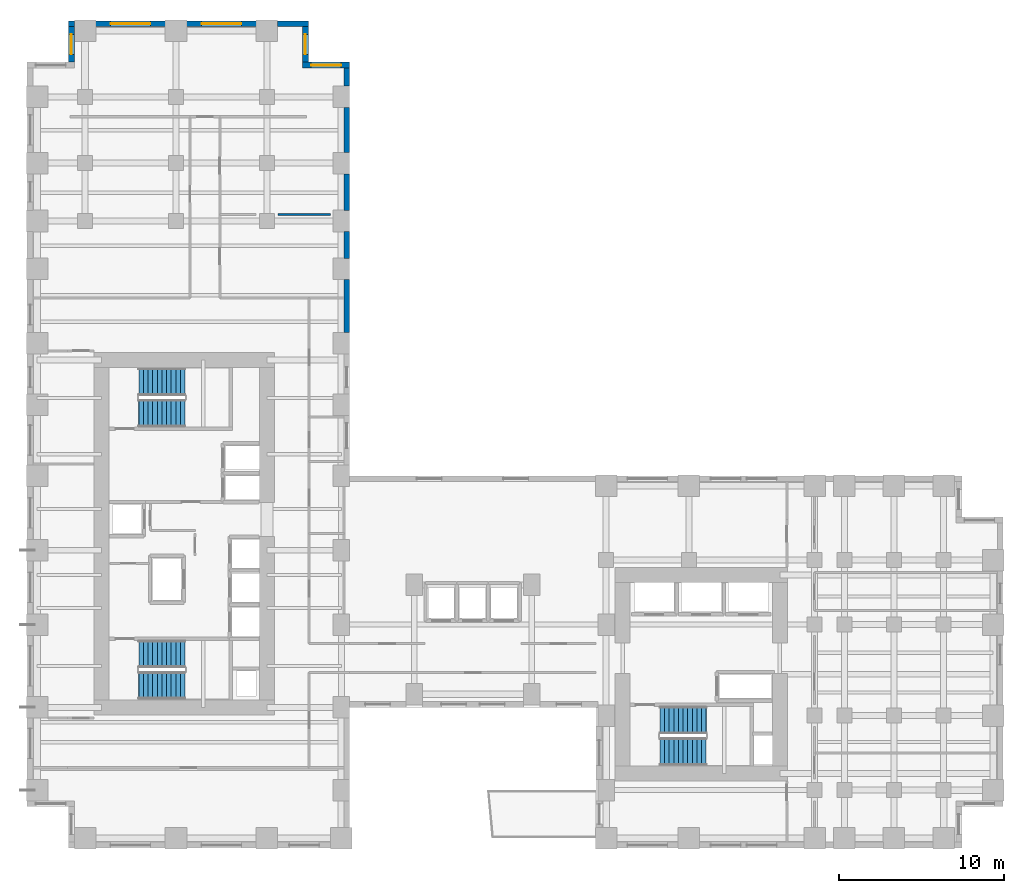
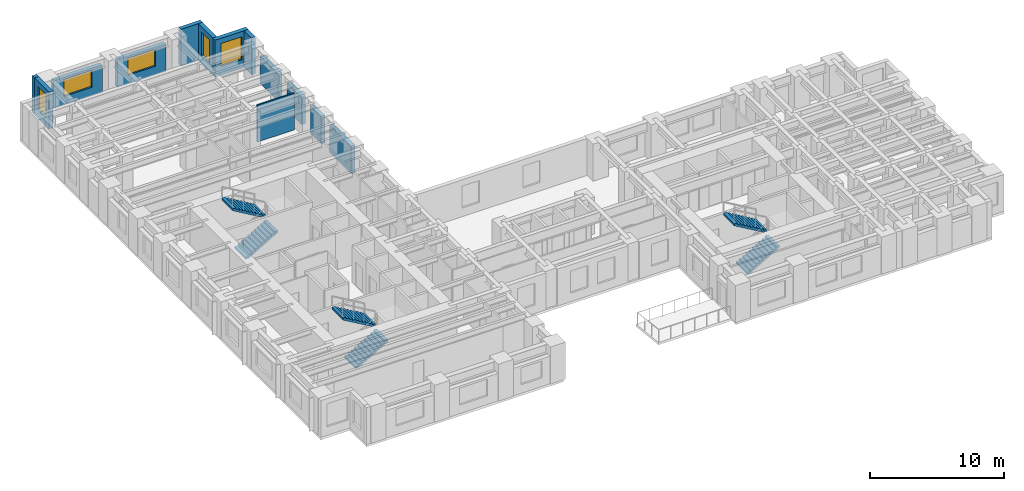
# One storey, part 9 of 12: 13 walls, 6 stair flights, 5 windows, 5 openings, 3 elements without a shape of their own.
"""IFC4 building model written with IfcOpenShell, lengths in metres."""

from ifc_helpers import new_model, si_unit, direction, frame, frame_2d, origin, place, context, subcontext, project, spatial, polyline, rectangle, outline, extrude, source, transform, mapped, material, layer, layer_set, type_object, element, fill, aggregate, save


model = new_model("IFC4")

# Units and contexts
model_context = context("Model", 3, precision=1e-05, world=origin(), true_north=direction((0.0, 1.0)))
body_context = subcontext(model_context, "Body", "Model", "MODEL_VIEW")
ifc_project = project(units=[si_unit("LENGTHUNIT", "METRE"), si_unit("AREAUNIT", "SQUARE_METRE"), si_unit("VOLUMEUNIT", "CUBIC_METRE"), si_unit("PLANEANGLEUNIT", "RADIAN"), si_unit("MASSUNIT", "GRAM", prefix="KILO")], contexts=[model_context])

# Site, building, storey
site_placement = place(None, origin())
site = spatial("IfcSite", under=ifc_project, at=site_placement, CompositionType="ELEMENT")
building_placement = place(site_placement, origin())
building = spatial("IfcBuilding", under=site, at=building_placement, Name="Kharzan Plaza Tower", CompositionType="ELEMENT")
storey_placement = place(building_placement, frame((0.0, 0.0, 33.300048828125)))
storey = spatial("IfcBuildingStorey", under=building, at=storey_placement, Name="L08", CompositionType="ELEMENT", Elevation=33.300048828125)

# Wall, opening, window
ifc_material_1 = material(Name="Concrete C40/50", Category="concrete")
ifc_layer_1 = layer(ifc_material_1, 0.35009765625)
ifc_layer_set_1 = layer_set([ifc_layer_1], Name="Concrete C40/50")
wall_type_1 = type_object("IfcWallType", Name="WL-EXT-MAS-Z1", PredefinedType="SOLIDWALL", material=ifc_layer_set_1)
wall_1_placement = place(storey_placement, frame((19.5, 47.324951171875, 0.0), z_axis=(0.0, 0.0, 1.0), x_axis=(-1.0, 0.0, 0.0)))
wall_1 = element("IfcWall", 1, at=wall_1_placement, inside=storey, type_object=wall_type_1, Name="L08 Masonry-Frame Exterior Wall 01", PredefinedType="SOLIDWALL", context=body_context, shape_type="SweptSolid", body=[
    extrude(rectangle(XDim=2.85009765625, YDim=0.35009765625, at=frame_2d((1.425048828125, 0.0))), origin(), (0.0, 0.0, 1.0), 3.364990234375),
])
opening_1_placement = place(wall_1_placement, frame((0.52490234375, 0.0, 0.780029296875)))
opening_1 = element("IfcOpeningElement", 2, at=opening_1_placement, cuts=wall_1, Name="Opening W1", PredefinedType="OPENING", context=body_context, shape_type="SweptSolid", body=[
    extrude(rectangle(XDim=1.800048828125, YDim=2.10009765625, at=frame_2d((0.89990234375, 1.050048828125))), frame((0.0, 0.18505859375, 0.0), z_axis=(0.0, -1.0, 0.0), x_axis=(1.0, 0.0, 0.0)), (0.0, 0.0, 1.0), 0.3701171875),
])
ifc_material_2 = material(Name="Low-E Double Glazing", Category="glass")
window_type_1 = type_object("IfcWindowType", Name="WN-REC-1800x2100", PartitioningType="SINGLE_PANEL", PredefinedType="WINDOW", material=ifc_material_2)
shared_shape_1 = source(origin(), body_context, "Body", "SweptSolid", [
    extrude(rectangle(XDim=1.800048828125, YDim=2.10009765625, at=frame_2d((0.89990234375, 1.050048828125))), frame((0.0, 0.030029296875, 0.0), z_axis=(0.0, -1.0, 0.0), x_axis=(1.0, 0.0, 0.0)), (0.0, 0.0, 1.0), 0.06005859375),
])
window_1_placement = place(opening_1_placement, origin())
window_1 = element("IfcWindow", 3, at=window_1_placement, inside=storey, type_object=window_type_1, Name="L08 Recessed Solar-Control Window 01-1", OverallHeight=2.10009765625, OverallWidth=1.800048828125, PartitioningType="SINGLE_PANEL", PredefinedType="WINDOW", context=body_context, shape_type="MappedRepresentation", body=[
    mapped(shared_shape_1, transform((0.0, 0.0, 0.0), x_axis=(1.0, 0.0, 0.0), y_axis=(0.0, 1.0, 0.0), z_axis=(0.0, 0.0, 1.0))),
])
fill(opening_1, window_1)

wall_2_placement = place(storey_placement, frame((16.824951171875, 47.498046875, 0.0), z_axis=(0.0, 0.0, 1.0), x_axis=(0.0, 1.0, 0.0)))
wall_2 = element("IfcWall", 4, at=wall_2_placement, inside=storey, type_object=wall_type_1, Name="L08 Masonry-Frame Exterior Wall 02", PredefinedType="SOLIDWALL", context=body_context, shape_type="SweptSolid", body=[
    extrude(rectangle(XDim=2.154052734375, YDim=0.35009765625, at=frame_2d((1.0771484375, 0.0))), origin(), (0.0, 0.0, 1.0), 3.364990234375),
])
opening_2_placement = place(wall_2_placement, frame((0.47705078125, 0.0, 0.780029296875)))
opening_2 = element("IfcOpeningElement", 5, at=opening_2_placement, cuts=wall_2, Name="Opening W3", PredefinedType="OPENING", context=body_context, shape_type="SweptSolid", body=[
    extrude(rectangle(XDim=1.199951171875, YDim=2.10009765625, at=frame_2d((0.60009765625, 1.050048828125))), frame((0.0, 0.18505859375, 0.0), z_axis=(0.0, -1.0, 0.0), x_axis=(1.0, 0.0, 0.0)), (0.0, 0.0, 1.0), 0.3701171875),
])
window_type_2 = type_object("IfcWindowType", Name="WN-REC-1200x2100", PartitioningType="SINGLE_PANEL", PredefinedType="WINDOW", material=ifc_material_2)
shared_shape_2 = source(origin(), body_context, "Body", "SweptSolid", [
    extrude(rectangle(XDim=1.199951171875, YDim=2.10009765625, at=frame_2d((0.60009765625, 1.050048828125))), frame((0.0, 0.030029296875, 0.0), z_axis=(0.0, -1.0, 0.0), x_axis=(1.0, 0.0, 0.0)), (0.0, 0.0, 1.0), 0.06005859375),
])
window_2_placement = place(opening_2_placement, origin())
window_2 = element("IfcWindow", 6, at=window_2_placement, inside=storey, type_object=window_type_2, Name="L08 Recessed Solar-Control Window 02-1", OverallHeight=2.10009765625, OverallWidth=1.199951171875, PartitioningType="SINGLE_PANEL", PredefinedType="WINDOW", context=body_context, shape_type="MappedRepresentation", body=[
    mapped(shared_shape_2, transform((0.0, 0.0, 0.0), x_axis=(1.0, 0.0, 0.0), y_axis=(0.0, 1.0, 0.0), z_axis=(0.0, 0.0, 1.0))),
])
fill(opening_2, window_2)

wall_3_placement = place(storey_placement, frame((13.85205078125, 49.824951171875, 0.0), z_axis=(0.0, 0.0, 1.0), x_axis=(-1.0, 0.0, 0.0)))
wall_3 = element("IfcWall", 7, at=wall_3_placement, inside=storey, type_object=wall_type_1, Name="L08 Masonry-Frame Exterior Wall 04", PredefinedType="SOLIDWALL", context=body_context, shape_type="SweptSolid", body=[
    extrude(rectangle(XDim=4.2041015625, YDim=0.35009765625, at=frame_2d((2.10205078125, 0.0))), origin(), (0.0, 0.0, 1.0), 2.510009765625),
])
opening_3_placement = place(wall_3_placement, frame((0.902099609375, 0.0, 0.780029296875)))
opening_3 = element("IfcOpeningElement", 8, at=opening_3_placement, cuts=wall_3, Name="Opening W2", PredefinedType="OPENING", context=body_context, shape_type="SweptSolid", body=[
    extrude(rectangle(XDim=2.39990234375, YDim=1.550048828125, at=frame_2d((1.199951171875, 0.77490234375))), frame((0.0, 0.18505859375, 0.0), z_axis=(0.0, -1.0, 0.0), x_axis=(1.0, 0.0, 0.0)), (0.0, 0.0, 1.0), 0.3701171875),
])
window_type_3 = type_object("IfcWindowType", Name="WN-REC-2400x2100", PartitioningType="SINGLE_PANEL", PredefinedType="WINDOW", material=ifc_material_2)
shared_shape_3 = source(origin(), body_context, "Body", "SweptSolid", [
    extrude(rectangle(XDim=2.39990234375, YDim=1.550048828125, at=frame_2d((1.199951171875, 0.77490234375))), frame((0.0, 0.030029296875, 0.0), z_axis=(0.0, -1.0, 0.0), x_axis=(1.0, 0.0, 0.0)), (0.0, 0.0, 1.0), 0.06005859375),
])
window_3_placement = place(opening_3_placement, origin())
window_3 = element("IfcWindow", 9, at=window_3_placement, inside=storey, type_object=window_type_3, Name="L08 Wide Recessed Solar-Control Window 04-1", OverallHeight=1.550048828125, OverallWidth=2.39990234375, PartitioningType="SINGLE_PANEL", PredefinedType="WINDOW", context=body_context, shape_type="MappedRepresentation", body=[
    mapped(shared_shape_3, transform((0.0, 0.0, 0.0), x_axis=(1.0, 0.0, 0.0), y_axis=(0.0, 1.0, 0.0), z_axis=(0.0, 0.0, 1.0))),
])
fill(opening_3, window_3)

wall_4_placement = place(storey_placement, frame((8.35205078125, 49.824951171875, 0.0), z_axis=(0.0, 0.0, 1.0), x_axis=(-1.0, 0.0, 0.0)))
wall_4 = element("IfcWall", 10, at=wall_4_placement, inside=storey, type_object=wall_type_1, Name="L08 Masonry-Frame Exterior Wall 05", PredefinedType="SOLIDWALL", context=body_context, shape_type="SweptSolid", body=[
    extrude(rectangle(XDim=4.2041015625, YDim=0.35009765625, at=frame_2d((2.10205078125, 0.0))), origin(), (0.0, 0.0, 1.0), 2.510009765625),
])
opening_4_placement = place(wall_4_placement, frame((0.902099609375, 0.0, 0.780029296875)))
opening_4 = element("IfcOpeningElement", 11, at=opening_4_placement, cuts=wall_4, Name="Opening W2", PredefinedType="OPENING", context=body_context, shape_type="SweptSolid", body=[
    extrude(rectangle(XDim=2.39990234375, YDim=1.550048828125, at=frame_2d((1.199951171875, 0.77490234375))), frame((0.0, 0.18505859375, 0.0), z_axis=(0.0, -1.0, 0.0), x_axis=(1.0, 0.0, 0.0)), (0.0, 0.0, 1.0), 0.3701171875),
])
window_4_placement = place(opening_4_placement, origin())
window_4 = element("IfcWindow", 12, at=window_4_placement, inside=storey, type_object=window_type_3, Name="L08 Wide Recessed Solar-Control Window 05-1", OverallHeight=1.550048828125, OverallWidth=2.39990234375, PartitioningType="SINGLE_PANEL", PredefinedType="WINDOW", context=body_context, shape_type="MappedRepresentation", body=[
    mapped(shared_shape_3, transform((0.0, 0.0, 0.0), x_axis=(1.0, 0.0, 0.0), y_axis=(0.0, 1.0, 0.0), z_axis=(0.0, 0.0, 1.0))),
])
fill(opening_4, window_4)

wall_5_placement = place(storey_placement, frame((2.675048828125, 49.652099609375, 0.0), z_axis=(0.0, 0.0, 1.0), x_axis=(0.0, -1.0, 0.0)))
wall_5 = element("IfcWall", 13, at=wall_5_placement, inside=storey, type_object=wall_type_1, Name="L08 Masonry-Frame Exterior Wall 07", PredefinedType="SOLIDWALL", context=body_context, shape_type="SweptSolid", body=[
    extrude(rectangle(XDim=2.154052734375, YDim=0.35009765625, at=frame_2d((1.0771484375, 0.0))), origin(), (0.0, 0.0, 1.0), 3.364990234375),
])
opening_5_placement = place(wall_5_placement, frame((0.47705078125, 0.0, 0.780029296875)))
opening_5 = element("IfcOpeningElement", 14, at=opening_5_placement, cuts=wall_5, Name="Opening W3", PredefinedType="OPENING", context=body_context, shape_type="SweptSolid", body=[
    extrude(rectangle(XDim=1.199951171875, YDim=2.10009765625, at=frame_2d((0.60009765625, 1.050048828125))), frame((0.0, 0.18505859375, 0.0), z_axis=(0.0, -1.0, 0.0), x_axis=(1.0, 0.0, 0.0)), (0.0, 0.0, 1.0), 0.3701171875),
])
window_5_placement = place(opening_5_placement, origin())
window_5 = element("IfcWindow", 15, at=window_5_placement, inside=storey, type_object=window_type_2, Name="L08 Recessed Solar-Control Window 07-1", OverallHeight=2.10009765625, OverallWidth=1.199951171875, PartitioningType="SINGLE_PANEL", PredefinedType="WINDOW", context=body_context, shape_type="MappedRepresentation", body=[
    mapped(shared_shape_2, transform((0.0, 0.0, 0.0), x_axis=(1.0, 0.0, 0.0), y_axis=(0.0, 1.0, 0.0), z_axis=(0.0, 0.0, 1.0))),
])
fill(opening_5, window_5)

# Walls
shared_shape_4 = source(origin(), body_context, "Body", "SweptSolid", [
    extrude(rectangle(XDim=1.85205078125, YDim=0.35009765625, at=frame_2d((0.926025390625, 0.0))), origin(), (0.0, 0.0, 1.0), 3.364990234375),
])
wall_6_placement = place(storey_placement, frame((17.0, 49.824951171875, 0.0), z_axis=(0.0, 0.0, 1.0), x_axis=(-1.0, 0.0, 0.0)))
element("IfcWall", 16, at=wall_6_placement, inside=storey, type_object=wall_type_1, Name="L08 Masonry-Frame Exterior Wall 03", PredefinedType="SOLIDWALL", context=body_context, shape_type="MappedRepresentation", body=[
    mapped(shared_shape_4, transform((0.0, 0.0, 0.0), x_axis=(1.0, 0.0, 0.0), y_axis=(0.0, 1.0, 0.0), z_axis=(0.0, 0.0, 1.0))),
])
shared_shape_5 = source(origin(), body_context, "Body", "SweptSolid", [
    extrude(rectangle(XDim=0.35205078125, YDim=0.35009765625, at=frame_2d((0.176025390625, 0.0))), origin(), (0.0, 0.0, 1.0), 3.364990234375),
])
wall_7_placement = place(storey_placement, frame((2.85205078125, 49.824951171875, 0.0), z_axis=(0.0, 0.0, 1.0), x_axis=(-1.0, 0.0, 0.0)))
element("IfcWall", 17, at=wall_7_placement, inside=storey, type_object=wall_type_1, Name="L08 Masonry-Frame Exterior Wall 06", PredefinedType="SOLIDWALL", context=body_context, shape_type="MappedRepresentation", body=[
    mapped(shared_shape_5, transform((0.0, 0.0, 0.0), x_axis=(1.0, 0.0, 0.0), y_axis=(0.0, 1.0, 0.0), z_axis=(0.0, 0.0, 1.0))),
])
shared_shape_6 = source(origin(), body_context, "Body", "SweptSolid", [
    extrude(rectangle(XDim=1.10400390625, YDim=0.35009765625, at=frame_2d((0.552001953125, 0.0))), origin(), (0.0, 0.0, 1.0), 3.364990234375),
])
wall_8_placement = place(storey_placement, frame((19.324951171875, 46.048095703125, 0.0), z_axis=(0.0, 0.0, 1.0), x_axis=(0.0, 1.0, 0.0)))
element("IfcWall", 18, at=wall_8_placement, inside=storey, type_object=wall_type_1, Name="L08 Masonry-Frame Exterior Wall 60", PredefinedType="SOLIDWALL", context=body_context, shape_type="MappedRepresentation", body=[
    mapped(shared_shape_6, transform((0.0, 0.0, 0.0), x_axis=(1.0, 0.0, 0.0), y_axis=(0.0, 1.0, 0.0), z_axis=(0.0, 0.0, 1.0))),
])
shared_shape_7 = source(origin(), body_context, "Body", "SweptSolid", [
    extrude(rectangle(XDim=1.60400390625, YDim=0.35009765625, at=frame_2d((0.802001953125, 0.0))), origin(), (0.0, 0.0, 1.0), 2.510009765625),
])
wall_9_placement = place(storey_placement, frame((19.324951171875, 35.64794921875, 0.0), z_axis=(0.0, 0.0, 1.0), x_axis=(0.0, 1.0, 0.0)))
element("IfcWall", 19, at=wall_9_placement, inside=storey, type_object=wall_type_1, Name="L08 Masonry-Frame Exterior Wall 57", PredefinedType="SOLIDWALL", context=body_context, shape_type="MappedRepresentation", body=[
    mapped(shared_shape_7, transform((0.0, 0.0, 0.0), x_axis=(1.0, 0.0, 0.0), y_axis=(0.0, 1.0, 0.0), z_axis=(0.0, 0.0, 1.0))),
])
shared_shape_8 = source(origin(), body_context, "Body", "SweptSolid", [
    extrude(rectangle(XDim=3.2041015625, YDim=0.35009765625, at=frame_2d((1.60205078125, 0.0))), origin(), (0.0, 0.0, 1.0), 2.510009765625),
])
wall_10_placement = place(storey_placement, frame((19.324951171875, 31.14794921875, 0.0), z_axis=(0.0, 0.0, 1.0), x_axis=(0.0, 1.0, 0.0)))
element("IfcWall", 20, at=wall_10_placement, inside=storey, type_object=wall_type_1, Name="L08 Masonry-Frame Exterior Wall 56", PredefinedType="SOLIDWALL", context=body_context, shape_type="MappedRepresentation", body=[
    mapped(shared_shape_8, transform((0.0, 0.0, 0.0), x_axis=(1.0, 0.0, 0.0), y_axis=(0.0, 1.0, 0.0), z_axis=(0.0, 0.0, 1.0))),
])
shared_shape_9 = source(origin(), body_context, "Body", "SweptSolid", [
    extrude(rectangle(XDim=2.203857421875, YDim=0.35009765625, at=frame_2d((1.10205078125, 0.0))), origin(), (0.0, 0.0, 1.0), 2.510009765625),
])
wall_11_placement = place(storey_placement, frame((19.324951171875, 38.548095703125, 0.0), z_axis=(0.0, 0.0, 1.0), x_axis=(0.0, 1.0, 0.0)))
element("IfcWall", 21, at=wall_11_placement, inside=storey, type_object=wall_type_1, Name="L08 Masonry-Frame Exterior Wall 58", PredefinedType="SOLIDWALL", context=body_context, shape_type="MappedRepresentation", body=[
    mapped(shared_shape_9, transform((0.0, 0.0, 0.0), x_axis=(1.0, 0.0, 0.0), y_axis=(0.0, 1.0, 0.0), z_axis=(0.0, 0.0, 1.0))),
])
shared_shape_10 = source(origin(), body_context, "Body", "SweptSolid", [
    extrude(rectangle(XDim=2.703857421875, YDim=0.35009765625, at=frame_2d((1.35205078125, 0.0))), origin(), (0.0, 0.0, 1.0), 2.510009765625),
])
wall_12_placement = place(storey_placement, frame((19.324951171875, 42.048095703125, 0.0), z_axis=(0.0, 0.0, 1.0), x_axis=(0.0, 1.0, 0.0)))
element("IfcWall", 22, at=wall_12_placement, inside=storey, type_object=wall_type_1, Name="L08 Masonry-Frame Exterior Wall 59", PredefinedType="SOLIDWALL", context=body_context, shape_type="MappedRepresentation", body=[
    mapped(shared_shape_10, transform((0.0, 0.0, 0.0), x_axis=(1.0, 0.0, 0.0), y_axis=(0.0, 1.0, 0.0), z_axis=(0.0, 0.0, 1.0))),
])
ifc_material_3 = material(Name="Fire-Rated Gypsum Board Partition", Category="gypsum")
ifc_layer_2 = layer(ifc_material_3, 0.125)
ifc_layer_set_2 = layer_set([ifc_layer_2], Name="Fire-Rated Gypsum Board Partition")
wall_type_2 = type_object("IfcWallType", Name="WL-INT-PART-125", PredefinedType="PARTITIONING", material=ifc_layer_set_2)
shared_shape_11 = source(origin(), body_context, "Body", "SweptSolid", [
    extrude(rectangle(XDim=3.18017578125, YDim=0.125, at=frame_2d((1.590087890625, 0.0))), origin(), (0.0, 0.0, 1.0), 3.364990234375),
])
wall_13_placement = place(storey_placement, frame((15.159912109375, 38.287109375, 0.0), z_axis=(0.0, 0.0, 1.0), x_axis=(1.0, 0.0, 0.0)))
element("IfcWall", 23, at=wall_13_placement, inside=storey, type_object=wall_type_2, Name="L08 Interior Partition SH-NEH-1-S2", PredefinedType="PARTITIONING", context=body_context, shape_type="MappedRepresentation", body=[
    mapped(shared_shape_11, transform((0.0, 0.0, 0.0), x_axis=(1.0, 0.0, 0.0), y_axis=(0.0, 1.0, 0.0), z_axis=(0.0, 0.0, 1.0))),
])

# Stair, stair flights
stair_type_1 = type_object("IfcStairType", Name="STR-ST-1", PredefinedType="HALF_TURN_STAIR", material=ifc_material_1)
stair_1_placement = place(storey_placement, origin())
stair_1 = element("IfcStair", 24, at=stair_1_placement, inside=storey, type_object=stair_type_1, Name="L08 Protected Exit Stair ST-1", PredefinedType="HALF_TURN_STAIR")
stair_flight_type = type_object("IfcStairFlightType", Name="SFL-1650-R173", PredefinedType="STRAIGHT", material=ifc_material_1)
shared_shape_12 = source(origin(), body_context, "Body", "SweptSolid", [
    extrude(outline(polyline([(-0.0029296875, -0.011962890625), (-0.0029296875, 0.0), (0.0, 0.0), (0.0, 0.16357421875), (0.280029296875, 0.16357421875), (0.280029296875, 0.3271484375), (0.56005859375, 0.3271484375), (0.56005859375, 0.49072265625), (0.840087890625, 0.49072265625), (0.840087890625, 0.654296875), (1.1201171875, 0.654296875), (1.1201171875, 0.81787109375), (1.400146484375, 0.81787109375), (1.400146484375, 0.9814453125), (1.68017578125, 0.9814453125), (1.68017578125, 1.14501953125), (1.960205078125, 1.14501953125), (1.960205078125, 1.30859375), (2.240234375, 1.30859375), (2.240234375, 1.47216796875), (2.520263671875, 1.47216796875), (2.520263671875, 1.6357421875), (2.80029296875, 1.6357421875), (2.80029296875, 1.79931640625), (2.80029296875, 1.462158203125), (0.297119140625, 0.0), (0.297119140625, -0.011962890625), (-0.0029296875, -0.011962890625)])), frame((0.0, 0.824951171875, 0.0), z_axis=(0.0, -1.0, 0.0), x_axis=(1.0, 0.0, 0.0)), (0.0, 0.0, 1.0), 1.64990234375),
])
stair_flight_1_placement = place(storey_placement, frame((6.75, 9.824951171875, 0.0), z_axis=(0.0, 0.0, 1.0), x_axis=(1.0, 0.0, 0.0)))
stair_flight_1 = element("IfcStairFlight", 25, at=stair_flight_1_placement, type_object=stair_flight_type, Name="ST-1 flight 1", NumberOfRisers=11, NumberOfTreads=10, PredefinedType="STRAIGHT", RiserHeight=0.163636364, TreadLength=0.28, context=body_context, shape_type="MappedRepresentation", body=[
    mapped(shared_shape_12, transform((0.0, 0.0, 0.0), x_axis=(1.0, 0.0, 0.0), y_axis=(0.0, 1.0, 0.0), z_axis=(0.0, 0.0, 1.0))),
])
stair_flight_2_placement = place(storey_placement, frame((9.550048828125, 11.72509765625, 1.800048828125), z_axis=(0.0, 0.0, 1.0), x_axis=(-1.0, 0.0, 0.0)))
stair_flight_2 = element("IfcStairFlight", 26, at=stair_flight_2_placement, type_object=stair_flight_type, Name="ST-1 flight 2", NumberOfRisers=11, NumberOfTreads=10, PredefinedType="STRAIGHT", RiserHeight=0.163636364, TreadLength=0.28, context=body_context, shape_type="MappedRepresentation", body=[
    mapped(shared_shape_12, transform((0.0, 0.0, 0.0), x_axis=(1.0, 0.0, 0.0), y_axis=(0.0, 1.0, 0.0), z_axis=(0.0, 0.0, 1.0))),
])
aggregate(stair_1, [stair_flight_1, stair_flight_2])

stair_type_2 = type_object("IfcStairType", Name="STR-ST-2", PredefinedType="HALF_TURN_STAIR", material=ifc_material_1)
stair_2_placement = place(storey_placement, origin())
stair_2 = element("IfcStair", 27, at=stair_2_placement, inside=storey, type_object=stair_type_2, Name="L08 Protected Exit Stair ST-2", PredefinedType="HALF_TURN_STAIR")
stair_flight_3_placement = place(storey_placement, frame((6.75, 26.27490234375, 0.0), z_axis=(0.0, 0.0, 1.0), x_axis=(1.0, 0.0, 0.0)))
stair_flight_3 = element("IfcStairFlight", 28, at=stair_flight_3_placement, type_object=stair_flight_type, Name="ST-2 flight 1", NumberOfRisers=11, NumberOfTreads=10, PredefinedType="STRAIGHT", RiserHeight=0.163636364, TreadLength=0.28, context=body_context, shape_type="MappedRepresentation", body=[
    mapped(shared_shape_12, transform((0.0, 0.0, 0.0), x_axis=(1.0, 0.0, 0.0), y_axis=(0.0, 1.0, 0.0), z_axis=(0.0, 0.0, 1.0))),
])
stair_flight_4_placement = place(storey_placement, frame((9.550048828125, 28.175048828125, 1.800048828125), z_axis=(0.0, 0.0, 1.0), x_axis=(-1.0, 0.0, 0.0)))
stair_flight_4 = element("IfcStairFlight", 29, at=stair_flight_4_placement, type_object=stair_flight_type, Name="ST-2 flight 2", NumberOfRisers=11, NumberOfTreads=10, PredefinedType="STRAIGHT", RiserHeight=0.163636364, TreadLength=0.28, context=body_context, shape_type="MappedRepresentation", body=[
    mapped(shared_shape_12, transform((0.0, 0.0, 0.0), x_axis=(1.0, 0.0, 0.0), y_axis=(0.0, 1.0, 0.0), z_axis=(0.0, 0.0, 1.0))),
])
aggregate(stair_2, [stair_flight_3, stair_flight_4])

stair_type_3 = type_object("IfcStairType", Name="STR-ST-3", PredefinedType="HALF_TURN_STAIR", material=ifc_material_1)
stair_3_placement = place(storey_placement, origin())
stair_3 = element("IfcStair", 30, at=stair_3_placement, inside=storey, type_object=stair_type_3, Name="L08 Protected Exit Stair ST-3", PredefinedType="HALF_TURN_STAIR")
stair_flight_5_placement = place(storey_placement, frame((38.25, 5.824951171875, 0.0), z_axis=(0.0, 0.0, 1.0), x_axis=(1.0, 0.0, 0.0)))
stair_flight_5 = element("IfcStairFlight", 31, at=stair_flight_5_placement, type_object=stair_flight_type, Name="ST-3 flight 1", NumberOfRisers=11, NumberOfTreads=10, PredefinedType="STRAIGHT", RiserHeight=0.163636364, TreadLength=0.28, context=body_context, shape_type="MappedRepresentation", body=[
    mapped(shared_shape_12, transform((0.0, 0.0, 0.0), x_axis=(1.0, 0.0, 0.0), y_axis=(0.0, 1.0, 0.0), z_axis=(0.0, 0.0, 1.0))),
])
stair_flight_6_placement = place(storey_placement, frame((41.050048828125, 7.72509765625, 1.800048828125), z_axis=(0.0, 0.0, 1.0), x_axis=(-1.0, 0.0, 0.0)))
stair_flight_6 = element("IfcStairFlight", 32, at=stair_flight_6_placement, type_object=stair_flight_type, Name="ST-3 flight 2", NumberOfRisers=11, NumberOfTreads=10, PredefinedType="STRAIGHT", RiserHeight=0.163636364, TreadLength=0.28, context=body_context, shape_type="MappedRepresentation", body=[
    mapped(shared_shape_12, transform((0.0, 0.0, 0.0), x_axis=(1.0, 0.0, 0.0), y_axis=(0.0, 1.0, 0.0), z_axis=(0.0, 0.0, 1.0))),
])
aggregate(stair_3, [stair_flight_5, stair_flight_6])

save(model, "model.ifc")
